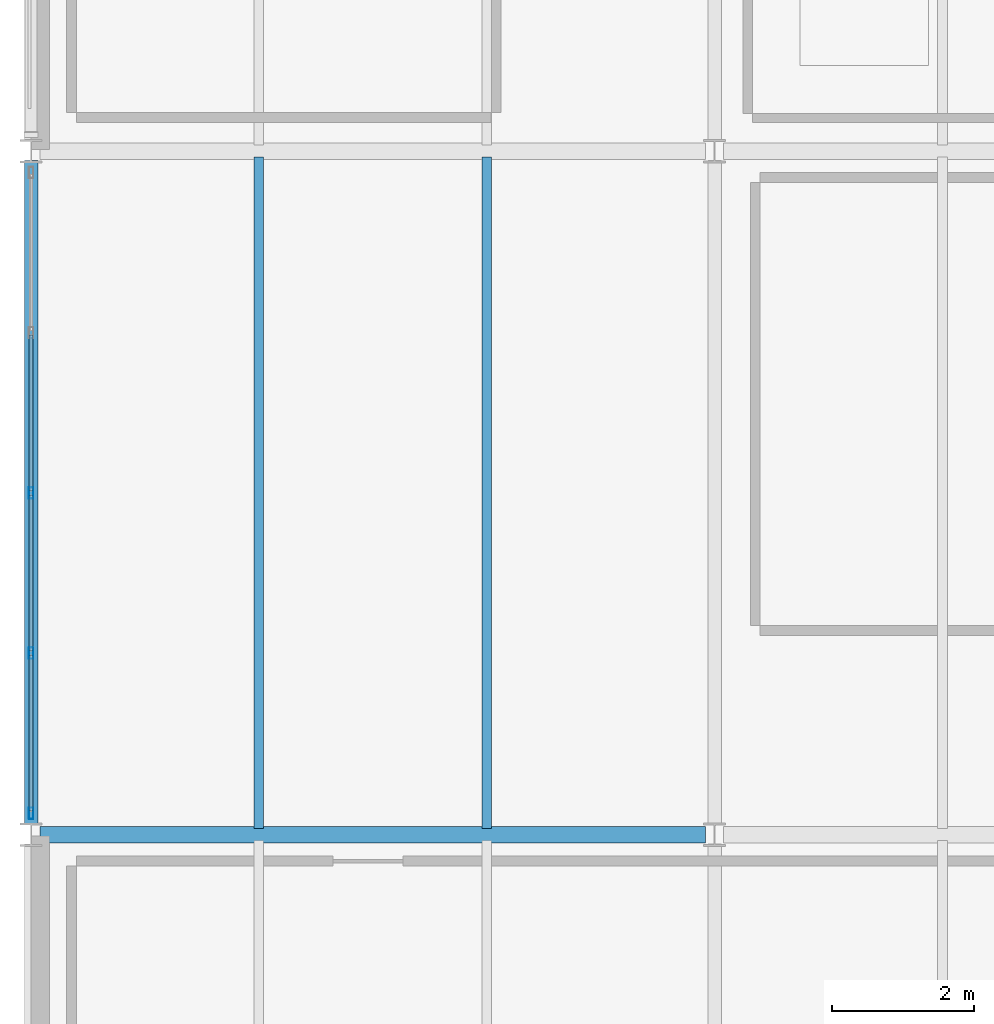
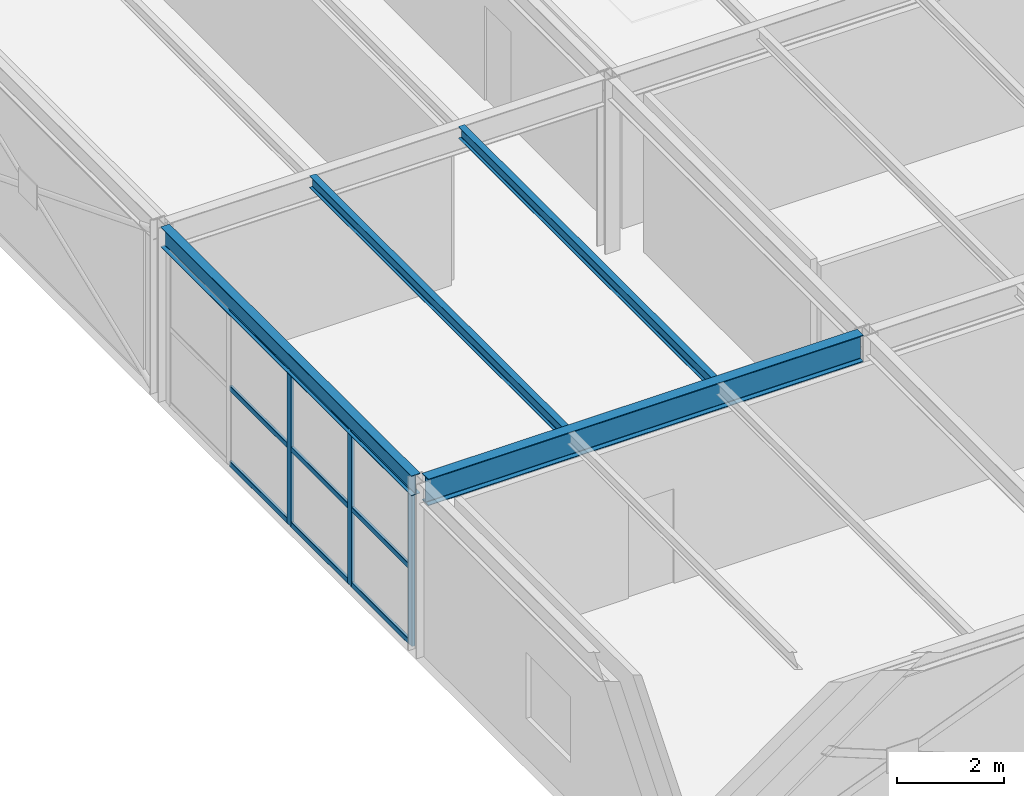
# One storey, part 7 of 50: 12 members, 4 beams, 1 element without a shape of its own.
"""IFC4 building model written with IfcOpenShell, lengths in metres."""

from ifc_helpers import new_model, si_unit, direction, frame, origin, origin_2d, place, context, subcontext, project, spatial, hollow_rectangle, i_section, extrude, material, material_profile, profile_set, type_object, element, aggregate, save


model = new_model("IFC4")

# Units and contexts
model_context = context("Model", 3, precision=1e-05, world=origin(), true_north=direction((0.0, 1.0)))
body_context = subcontext(model_context, "Body", "Model", "MODEL_VIEW")
ifc_project = project(units=[si_unit("LENGTHUNIT", "METRE"), si_unit("AREAUNIT", "SQUARE_METRE"), si_unit("VOLUMEUNIT", "CUBIC_METRE"), si_unit("PLANEANGLEUNIT", "RADIAN"), si_unit("MASSUNIT", "GRAM", prefix="KILO")], contexts=[model_context])

# Site, building, storey
site_placement = place(None, origin())
site = spatial("IfcSite", under=ifc_project, at=site_placement, CompositionType="ELEMENT")
building_placement = place(site_placement, origin())
building = spatial("IfcBuilding", under=site, at=building_placement, Name="Coralgate Yard Interchange", CompositionType="ELEMENT")
storey_placement = place(building_placement, frame((0.0, 0.0, 14.699951171875)))
storey = spatial("IfcBuildingStorey", under=building, at=storey_placement, Name="L03", CompositionType="ELEMENT", Elevation=14.699951171875)

# Beams
ifc_material_1 = material(Name="Structural steel S355J2", Category="steel")
ifc_material_profile_1 = material_profile(ifc_material_1, i_section(OverallWidth=0.1904296875, OverallDepth=0.45703125, WebThickness=0.009033203125, FlangeThickness=0.014404296875, FilletRadius=0.01025390625, at=origin_2d()), Name="UB 457x191x74")
ifc_profile_set_1 = profile_set([ifc_material_profile_1], Name="Structural steel S355J2")
beam_type_1 = type_object("IfcBeamType", Name="BM-SB-2", PredefinedType="BEAM", material=ifc_profile_set_1)
beam_1_placement = place(storey_placement, frame((0.0, 9.7333984375, 3.721435546875), z_axis=(0.0, 1.0, 0.0), x_axis=(-1.0, 0.0, 0.0)))
element("IfcBeam", 1, at=beam_1_placement, inside=storey, type_object=beam_type_1, Name="L03 primary grid girder X0 Y1-2", PredefinedType="BEAM", context=body_context, shape_type="SweptSolid", body=[
    extrude(i_section(OverallWidth=0.1904296875, OverallDepth=0.45703125, WebThickness=0.009033203125, FlangeThickness=0.014404296875, FilletRadius=0.01025390625, at=origin_2d()), origin(), (0.0, 0.0, 1.0), 9.3330078125),
])
ifc_material_profile_2 = material_profile(ifc_material_1, i_section(OverallWidth=0.228271484375, OverallDepth=0.607666015625, WebThickness=0.010986328125, FlangeThickness=0.017333984375, FilletRadius=0.0126953125, at=origin_2d()), Name="UB 610x229x113")
ifc_profile_set_2 = profile_set([ifc_material_profile_2], Name="Structural steel S355J2")
beam_type_2 = type_object("IfcBeamType", Name="BM-SG-5", PredefinedType="BEAM", material=ifc_profile_set_2)
beam_2_placement = place(storey_placement, frame((0.12548828125, 9.60009765625, 3.646240234375), z_axis=(1.0, 0.0, 0.0), x_axis=(0.0, 1.0, 0.0)))
element("IfcBeam", 2, at=beam_2_placement, inside=storey, type_object=beam_type_2, Name="L03 primary grid beam Y1 X0-1", PredefinedType="BEAM", context=body_context, shape_type="SweptSolid", body=[
    extrude(i_section(OverallWidth=0.228271484375, OverallDepth=0.607666015625, WebThickness=0.010986328125, FlangeThickness=0.017333984375, FilletRadius=0.0126953125, at=origin_2d()), origin(), (0.0, 0.0, 1.0), 9.348876953125),
])
ifc_material_profile_3 = material_profile(ifc_material_1, i_section(OverallWidth=0.135009765625, OverallDepth=0.27001953125, WebThickness=0.006591796875, FlangeThickness=0.01025390625, FilletRadius=0.014892578125, at=origin_2d()), Name="IPE 270")
ifc_profile_set_3 = profile_set([ifc_material_profile_3], Name="Structural steel S355J2")
beam_type_3 = type_object("IfcBeamType", Name="BM-SJ-3", PredefinedType="JOIST", material=ifc_profile_set_3)
for number, where, z_axis, x_axis, name in (
    (3, (3.199951171875, 9.68408203125, 3.81494140625), (0.0, 1.0, 0.0), (-1.0, 0.0, 0.0), "L03 composite floor joist 0-1-1"),
    (4, (6.39990234375, 9.68408203125, 3.81494140625), (0.0, 1.0, 0.0), (-1.0, 0.0, 0.0), "L03 composite floor joist 0-1-2"),
):
    element("IfcBeam", number, at=place(storey_placement, frame(where, z_axis=z_axis, x_axis=x_axis)), inside=storey, type_object=beam_type_3, Name=name, PredefinedType="JOIST", context=body_context, shape_type="SweptSolid", body=[
        extrude(i_section(OverallWidth=0.135009765625, OverallDepth=0.27001953125, WebThickness=0.006591796875, FlangeThickness=0.01025390625, FilletRadius=0.014892578125, at=origin_2d()), origin(), (0.0, 0.0, 1.0), 9.431884765625),
    ])

# Curtain wall, members
ifc_material_2 = material(Name="Anodised coastal aluminium and solar-control low-E glass", Category="aluminium")
curtain_wall_type = type_object("IfcCurtainWallType", Name="CW-CW-L03-A", PredefinedType="NOTDEFINED", material=ifc_material_2)
curtain_wall_placement = place(storey_placement, origin())
curtain_wall = element("IfcCurtainWall", 5, at=curtain_wall_placement, inside=storey, type_object=curtain_wall_type, Name="L03 unitised curtain wall CW-L03-W-00-01", PredefinedType="NOTDEFINED")
ifc_material_3 = material(Name="Anodised coastal aluminium 6063-T6", Category="aluminium")
ifc_material_profile_4 = material_profile(ifc_material_3, hollow_rectangle(XDim=0.06494140625, YDim=0.159912109375, WallThickness=0.00390625, InnerFilletRadius=0.00390625, OuterFilletRadius=0.008056640625, at=origin_2d()), Name="ALU 65x160x4")
ifc_profile_set_4 = profile_set([ifc_material_profile_4], Name="Anodised coastal aluminium 6063-T6")
member_type_1 = type_object("IfcMemberType", Name="MB-MUL-160", PredefinedType="MULLION", material=ifc_profile_set_4)
member_1_placement = place(storey_placement, frame((0.0, 9.89990234375, 0.0), z_axis=(0.0, 0.0, 1.0), x_axis=(1.0, 0.0, 0.0)))
member_1 = element("IfcMember", 6, at=member_1_placement, type_object=member_type_1, Name="CW-L03-W-00-01 vertical mullion 1", PredefinedType="MULLION", context=body_context, shape_type="SweptSolid", body=[
    extrude(hollow_rectangle(XDim=0.06494140625, YDim=0.159912109375, WallThickness=0.00390625, InnerFilletRadius=0.00390625, OuterFilletRadius=0.008056640625, at=origin_2d()), origin(), (0.0, 0.0, 1.0), 3.4931640625),
])
member_2_placement = place(storey_placement, frame((0.0, 12.14990234375, 0.0), z_axis=(0.0, 0.0, 1.0), x_axis=(1.0, 0.0, 0.0)))
member_2 = element("IfcMember", 7, at=member_2_placement, type_object=member_type_1, Name="CW-L03-W-00-01 vertical mullion 2", PredefinedType="MULLION", context=body_context, shape_type="SweptSolid", body=[
    extrude(hollow_rectangle(XDim=0.06494140625, YDim=0.159912109375, WallThickness=0.00390625, InnerFilletRadius=0.00390625, OuterFilletRadius=0.008056640625, at=origin_2d()), origin(), (0.0, 0.0, 1.0), 3.4931640625),
])
member_3_placement = place(storey_placement, frame((0.0, 14.39990234375, 0.0), z_axis=(0.0, 0.0, 1.0), x_axis=(1.0, 0.0, 0.0)))
member_3 = element("IfcMember", 8, at=member_3_placement, type_object=member_type_1, Name="CW-L03-W-00-01 vertical mullion 3", PredefinedType="MULLION", context=body_context, shape_type="SweptSolid", body=[
    extrude(hollow_rectangle(XDim=0.06494140625, YDim=0.159912109375, WallThickness=0.00390625, InnerFilletRadius=0.00390625, OuterFilletRadius=0.008056640625, at=origin_2d()), origin(), (0.0, 0.0, 1.0), 3.4931640625),
])
ifc_material_profile_5 = material_profile(ifc_material_3, hollow_rectangle(XDim=0.06005859375, YDim=0.1201171875, WallThickness=0.00341796875, InnerFilletRadius=0.00341796875, OuterFilletRadius=0.007080078125, at=origin_2d()), Name="ALU 60x120x3.5")
ifc_profile_set_5 = profile_set([ifc_material_profile_5], Name="Anodised coastal aluminium 6063-T6")
member_type_2 = type_object("IfcMemberType", Name="MB-TRN-120", PredefinedType="USERDEFINED", material=ifc_profile_set_5)
member_4_placement = place(storey_placement, frame((0.0, 9.929931640625, 0.03515625), z_axis=(0.0, 1.0, 0.0), x_axis=(-1.0, 0.0, 0.0)))
member_4 = element("IfcMember", 9, at=member_4_placement, type_object=member_type_2, Name="CW-L03-W-00-01 horizontal transom 1-1", ObjectType="TRANSOM", PredefinedType="USERDEFINED", context=body_context, shape_type="SweptSolid", body=[
    extrude(hollow_rectangle(XDim=0.06005859375, YDim=0.1201171875, WallThickness=0.00341796875, InnerFilletRadius=0.00341796875, OuterFilletRadius=0.007080078125, at=origin_2d()), origin(), (0.0, 0.0, 1.0), 2.190185546875),
])
member_5_placement = place(storey_placement, frame((0.0, 9.929931640625, 1.74658203125), z_axis=(0.0, 1.0, 0.0), x_axis=(-1.0, 0.0, 0.0)))
member_5 = element("IfcMember", 10, at=member_5_placement, type_object=member_type_2, Name="CW-L03-W-00-01 horizontal transom 1-2", ObjectType="TRANSOM", PredefinedType="USERDEFINED", context=body_context, shape_type="SweptSolid", body=[
    extrude(hollow_rectangle(XDim=0.06005859375, YDim=0.1201171875, WallThickness=0.00341796875, InnerFilletRadius=0.00341796875, OuterFilletRadius=0.007080078125, at=origin_2d()), origin(), (0.0, 0.0, 1.0), 2.190185546875),
])
member_6_placement = place(storey_placement, frame((0.0, 9.929931640625, 3.4580078125), z_axis=(0.0, 1.0, 0.0), x_axis=(-1.0, 0.0, 0.0)))
member_6 = element("IfcMember", 11, at=member_6_placement, type_object=member_type_2, Name="CW-L03-W-00-01 horizontal transom 1-3", ObjectType="TRANSOM", PredefinedType="USERDEFINED", context=body_context, shape_type="SweptSolid", body=[
    extrude(hollow_rectangle(XDim=0.06005859375, YDim=0.1201171875, WallThickness=0.00341796875, InnerFilletRadius=0.00341796875, OuterFilletRadius=0.007080078125, at=origin_2d()), origin(), (0.0, 0.0, 1.0), 2.190185546875),
])
member_7_placement = place(storey_placement, frame((0.0, 12.179931640625, 0.03515625), z_axis=(0.0, 1.0, 0.0), x_axis=(-1.0, 0.0, 0.0)))
member_7 = element("IfcMember", 12, at=member_7_placement, type_object=member_type_2, Name="CW-L03-W-00-01 horizontal transom 2-1", ObjectType="TRANSOM", PredefinedType="USERDEFINED", context=body_context, shape_type="SweptSolid", body=[
    extrude(hollow_rectangle(XDim=0.06005859375, YDim=0.1201171875, WallThickness=0.00341796875, InnerFilletRadius=0.00341796875, OuterFilletRadius=0.007080078125, at=origin_2d()), origin(), (0.0, 0.0, 1.0), 2.190185546875),
])
member_8_placement = place(storey_placement, frame((0.0, 12.179931640625, 1.74658203125), z_axis=(0.0, 1.0, 0.0), x_axis=(-1.0, 0.0, 0.0)))
member_8 = element("IfcMember", 13, at=member_8_placement, type_object=member_type_2, Name="CW-L03-W-00-01 horizontal transom 2-2", ObjectType="TRANSOM", PredefinedType="USERDEFINED", context=body_context, shape_type="SweptSolid", body=[
    extrude(hollow_rectangle(XDim=0.06005859375, YDim=0.1201171875, WallThickness=0.00341796875, InnerFilletRadius=0.00341796875, OuterFilletRadius=0.007080078125, at=origin_2d()), origin(), (0.0, 0.0, 1.0), 2.190185546875),
])
member_9_placement = place(storey_placement, frame((0.0, 12.179931640625, 3.4580078125), z_axis=(0.0, 1.0, 0.0), x_axis=(-1.0, 0.0, 0.0)))
member_9 = element("IfcMember", 14, at=member_9_placement, type_object=member_type_2, Name="CW-L03-W-00-01 horizontal transom 2-3", ObjectType="TRANSOM", PredefinedType="USERDEFINED", context=body_context, shape_type="SweptSolid", body=[
    extrude(hollow_rectangle(XDim=0.06005859375, YDim=0.1201171875, WallThickness=0.00341796875, InnerFilletRadius=0.00341796875, OuterFilletRadius=0.007080078125, at=origin_2d()), origin(), (0.0, 0.0, 1.0), 2.190185546875),
])
member_10_placement = place(storey_placement, frame((0.0, 14.429931640625, 0.03515625), z_axis=(0.0, 1.0, 0.0), x_axis=(-1.0, 0.0, 0.0)))
member_10 = element("IfcMember", 15, at=member_10_placement, type_object=member_type_2, Name="CW-L03-W-00-01 horizontal transom 3-1", ObjectType="TRANSOM", PredefinedType="USERDEFINED", context=body_context, shape_type="SweptSolid", body=[
    extrude(hollow_rectangle(XDim=0.06005859375, YDim=0.1201171875, WallThickness=0.00341796875, InnerFilletRadius=0.00341796875, OuterFilletRadius=0.007080078125, at=origin_2d()), origin(), (0.0, 0.0, 1.0), 2.190185546875),
])
member_11_placement = place(storey_placement, frame((0.0, 14.429931640625, 1.74658203125), z_axis=(0.0, 1.0, 0.0), x_axis=(-1.0, 0.0, 0.0)))
member_11 = element("IfcMember", 16, at=member_11_placement, type_object=member_type_2, Name="CW-L03-W-00-01 horizontal transom 3-2", ObjectType="TRANSOM", PredefinedType="USERDEFINED", context=body_context, shape_type="SweptSolid", body=[
    extrude(hollow_rectangle(XDim=0.06005859375, YDim=0.1201171875, WallThickness=0.00341796875, InnerFilletRadius=0.00341796875, OuterFilletRadius=0.007080078125, at=origin_2d()), origin(), (0.0, 0.0, 1.0), 2.190185546875),
])
member_12_placement = place(storey_placement, frame((0.0, 14.429931640625, 3.4580078125), z_axis=(0.0, 1.0, 0.0), x_axis=(-1.0, 0.0, 0.0)))
member_12 = element("IfcMember", 17, at=member_12_placement, type_object=member_type_2, Name="CW-L03-W-00-01 horizontal transom 3-3", ObjectType="TRANSOM", PredefinedType="USERDEFINED", context=body_context, shape_type="SweptSolid", body=[
    extrude(hollow_rectangle(XDim=0.06005859375, YDim=0.1201171875, WallThickness=0.00341796875, InnerFilletRadius=0.00341796875, OuterFilletRadius=0.007080078125, at=origin_2d()), origin(), (0.0, 0.0, 1.0), 2.190185546875),
])
aggregate(curtain_wall, [member_1, member_2, member_3, member_4, member_5, member_6, member_7, member_8, member_9, member_10, member_11, member_12])

save(model, "model.ifc")
